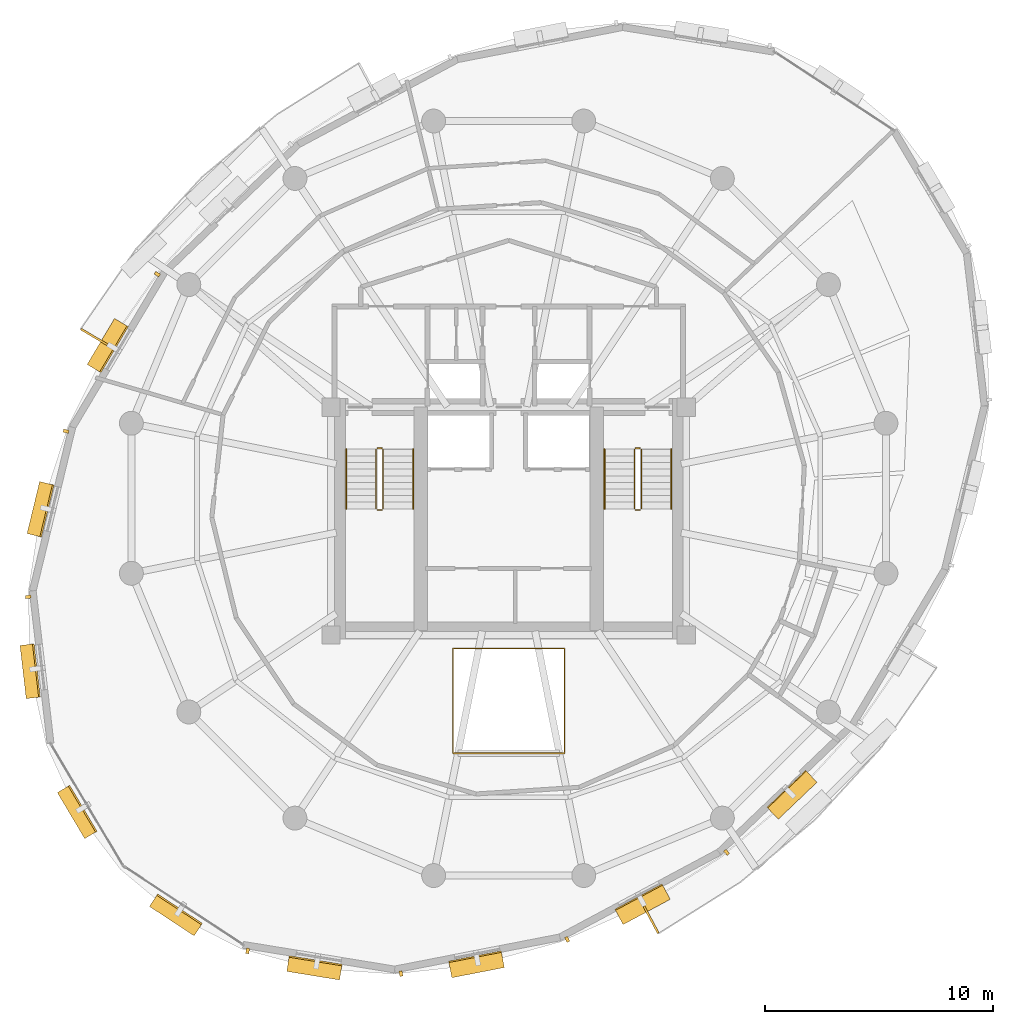
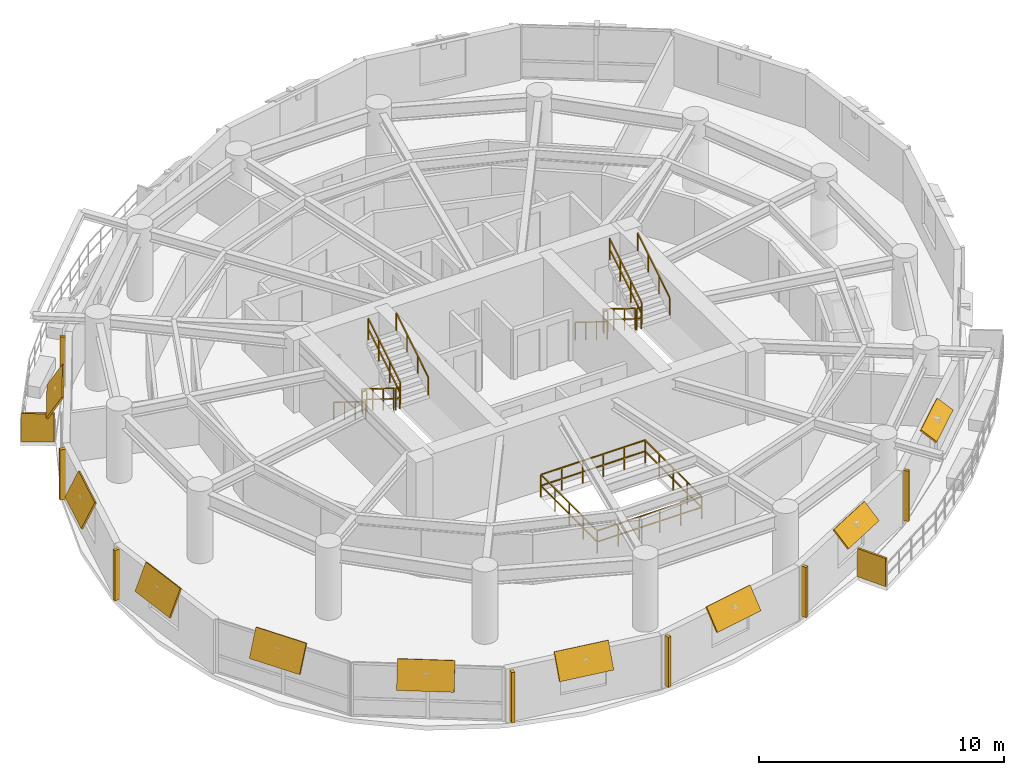
# One storey, part 11 of 12: 18 shading devices, 13 railings.
"""IFC4 building model written with IfcOpenShell, lengths in metres."""

from ifc_helpers import new_model, si_unit, direction, frame, origin, origin_2d, place, context, subcontext, project, spatial, rectangle, extrude, material, layer, layer_set, type_object, element, save


model = new_model("IFC4")

# Units and contexts
model_context = context("Model", 3, precision=1e-05, world=origin(), true_north=direction((0.0, 1.0)))
body_context = subcontext(model_context, "Body", "Model", "MODEL_VIEW")
ifc_project = project(units=[si_unit("LENGTHUNIT", "METRE"), si_unit("AREAUNIT", "SQUARE_METRE"), si_unit("VOLUMEUNIT", "CUBIC_METRE"), si_unit("PLANEANGLEUNIT", "RADIAN"), si_unit("MASSUNIT", "GRAM", prefix="KILO"), si_unit("THERMODYNAMICTEMPERATUREUNIT", "KELVIN"), si_unit("POWERUNIT", "WATT")], contexts=[model_context])

# Site, building, storey
site_placement = place(None, origin())
site = spatial("IfcSite", under=ifc_project, at=site_placement, CompositionType="ELEMENT")
building_placement = place(site_placement, origin())
building = spatial("IfcBuilding", under=site, at=building_placement, Name="Ocrelia Relay Tower", CompositionType="ELEMENT")
storey_placement = place(building_placement, frame((0.0, 0.0, 213.199951171875)))
storey = spatial("IfcBuildingStorey", under=building, at=storey_placement, Name="L52", CompositionType="ELEMENT", Elevation=213.199951171875)

# Railings
ifc_material_1 = material(Name="Steel S355 atrium balustrade", Category="steel")
railing_type_1 = type_object("IfcRailingType", Name="RL-INT-GUARD-115", PredefinedType="GUARDRAIL", material=ifc_material_1)
railing_1_placement = place(storey_placement, frame((31.550048828125, 14.800048828125, 0.0)))
element("IfcRailing", 1, at=railing_1_placement, inside=storey, type_object=railing_type_1, Name="L52 Multi-Zone Interior Atrium Guard", PredefinedType="GUARDRAIL", context=body_context, shape_type="SweptSolid", body=[
    extrude(rectangle(XDim=0.048095703125, YDim=0.048095703125, at=origin_2d()), frame((0.0, 0.0, 1.1259765625), z_axis=(1.0, 0.0, 0.0), x_axis=(0.0, 1.0, 0.0)), (0.0, 0.0, 1.0), 4.89990234375),
    extrude(rectangle(XDim=0.048095703125, YDim=0.048095703125, at=origin_2d()), frame((0.0, 0.0, 0.574951171875), z_axis=(1.0, 0.0, 0.0), x_axis=(0.0, 1.0, 0.0)), (0.0, 0.0, 1.0), 4.89990234375),
    extrude(rectangle(XDim=0.048095703125, YDim=0.048095703125, at=origin_2d()), frame((4.89990234375, 0.0, 1.1259765625), z_axis=(0.0, 1.0, 0.0), x_axis=(-1.0, 0.0, 0.0)), (0.0, 0.0, 1.0), 4.599853515625),
    extrude(rectangle(XDim=0.048095703125, YDim=0.048095703125, at=origin_2d()), frame((4.89990234375, 0.0, 0.574951171875), z_axis=(0.0, 1.0, 0.0), x_axis=(-1.0, 0.0, 0.0)), (0.0, 0.0, 1.0), 4.599853515625),
    extrude(rectangle(XDim=0.048095703125, YDim=0.048095703125, at=origin_2d()), frame((4.89990234375, 4.599853515625, 1.1259765625), z_axis=(-1.0, 0.0, 0.0), x_axis=(0.0, -1.0, 0.0)), (0.0, 0.0, 1.0), 4.89990234375),
    extrude(rectangle(XDim=0.048095703125, YDim=0.048095703125, at=origin_2d()), frame((4.89990234375, 4.599853515625, 0.574951171875), z_axis=(-1.0, 0.0, 0.0), x_axis=(0.0, -1.0, 0.0)), (0.0, 0.0, 1.0), 4.89990234375),
    extrude(rectangle(XDim=0.048095703125, YDim=0.048095703125, at=origin_2d()), frame((0.0, 4.599853515625, 1.1259765625), z_axis=(0.0, -1.0, 0.0), x_axis=(1.0, 0.0, 0.0)), (0.0, 0.0, 1.0), 4.599853515625),
    extrude(rectangle(XDim=0.048095703125, YDim=0.048095703125, at=origin_2d()), frame((0.0, 4.599853515625, 0.574951171875), z_axis=(0.0, -1.0, 0.0), x_axis=(1.0, 0.0, 0.0)), (0.0, 0.0, 1.0), 4.599853515625),
    extrude(rectangle(XDim=0.0419921875, YDim=0.0419921875, at=origin_2d()), origin(), (0.0, 0.0, 1.0), 1.101806640625),
    extrude(rectangle(XDim=0.0419921875, YDim=0.0419921875, at=origin_2d()), frame((0.97998046875, 0.0, 0.0)), (0.0, 0.0, 1.0), 1.101806640625),
    extrude(rectangle(XDim=0.0419921875, YDim=0.0419921875, at=origin_2d()), frame((1.9599609375, 0.0, 0.0)), (0.0, 0.0, 1.0), 1.101806640625),
    extrude(rectangle(XDim=0.0419921875, YDim=0.0419921875, at=origin_2d()), frame((2.93994140625, 0.0, 0.0)), (0.0, 0.0, 1.0), 1.101806640625),
    extrude(rectangle(XDim=0.0419921875, YDim=0.0419921875, at=origin_2d()), frame((3.919921875, 0.0, 0.0)), (0.0, 0.0, 1.0), 1.101806640625),
    extrude(rectangle(XDim=0.0419921875, YDim=0.0419921875, at=origin_2d()), frame((4.89990234375, 0.0, 0.0)), (0.0, 0.0, 1.0), 1.101806640625),
    extrude(rectangle(XDim=0.0419921875, YDim=0.0419921875, at=origin_2d()), frame((4.89990234375, 1.14990234375, 0.0)), (0.0, 0.0, 1.0), 1.101806640625),
    extrude(rectangle(XDim=0.0419921875, YDim=0.0419921875, at=origin_2d()), frame((4.89990234375, 2.2998046875, 0.0)), (0.0, 0.0, 1.0), 1.101806640625),
    extrude(rectangle(XDim=0.0419921875, YDim=0.0419921875, at=origin_2d()), frame((4.89990234375, 3.449951171875, 0.0)), (0.0, 0.0, 1.0), 1.101806640625),
    extrude(rectangle(XDim=0.0419921875, YDim=0.0419921875, at=origin_2d()), frame((4.89990234375, 4.599853515625, 0.0)), (0.0, 0.0, 1.0), 1.101806640625),
    extrude(rectangle(XDim=0.0419921875, YDim=0.0419921875, at=origin_2d()), frame((3.919921875, 4.599853515625, 0.0)), (0.0, 0.0, 1.0), 1.101806640625),
    extrude(rectangle(XDim=0.0419921875, YDim=0.0419921875, at=origin_2d()), frame((2.93994140625, 4.599853515625, 0.0)), (0.0, 0.0, 1.0), 1.101806640625),
    extrude(rectangle(XDim=0.0419921875, YDim=0.0419921875, at=origin_2d()), frame((1.9599609375, 4.599853515625, 0.0)), (0.0, 0.0, 1.0), 1.101806640625),
    extrude(rectangle(XDim=0.0419921875, YDim=0.0419921875, at=origin_2d()), frame((0.97998046875, 4.599853515625, 0.0)), (0.0, 0.0, 1.0), 1.101806640625),
    extrude(rectangle(XDim=0.0419921875, YDim=0.0419921875, at=origin_2d()), frame((0.0, 4.599853515625, 0.0)), (0.0, 0.0, 1.0), 1.101806640625),
    extrude(rectangle(XDim=0.0419921875, YDim=0.0419921875, at=origin_2d()), frame((0.0, 3.449951171875, 0.0)), (0.0, 0.0, 1.0), 1.101806640625),
    extrude(rectangle(XDim=0.0419921875, YDim=0.0419921875, at=origin_2d()), frame((0.0, 2.2998046875, 0.0)), (0.0, 0.0, 1.0), 1.101806640625),
    extrude(rectangle(XDim=0.0419921875, YDim=0.0419921875, at=origin_2d()), frame((0.0, 1.14990234375, 0.0)), (0.0, 0.0, 1.0), 1.101806640625),
])
ifc_material_2 = material(Name="Steel S355 balustrade", Category="steel")
railing_type_2 = type_object("IfcRailingType", Name="RL-STAIR-GUARD", PredefinedType="GUARDRAIL", material=ifc_material_2)
railing_2_placement = place(storey_placement, frame((28.179931640625, 28.14990234375, 0.179931640625)))
element("IfcRailing", 2, at=railing_2_placement, inside=storey, type_object=railing_type_2, Name="L52 ST1 stair guard 1", PredefinedType="GUARDRAIL", context=body_context, shape_type="SweptSolid", body=[
    extrude(rectangle(XDim=0.048095703125, YDim=0.048095703125, at=origin_2d()), frame((0.0, 0.0, 1.076171875), z_axis=(0.0, -0.849610693518, 0.52741034258), x_axis=(1.0, 0.0, 0.0)), (0.0, 0.0, 1.0), 3.07177734375),
    extrude(rectangle(XDim=0.048095703125, YDim=0.048095703125, at=origin_2d()), frame((0.0, 0.0, 0.550048828125), z_axis=(0.0, -0.849610693518, 0.52741034258), x_axis=(1.0, 0.0, 0.0)), (0.0, 0.0, 1.0), 3.07177734375),
    extrude(rectangle(XDim=0.0419921875, YDim=0.0419921875, at=origin_2d()), origin(), (0.0, 0.0, 1.0), 1.052001953125),
    extrude(rectangle(XDim=0.0419921875, YDim=0.0419921875, at=origin_2d()), frame((0.0, -0.869873046875, 0.5400390625)), (0.0, 0.0, 1.0), 1.052001953125),
    extrude(rectangle(XDim=0.0419921875, YDim=0.0419921875, at=origin_2d()), frame((0.0, -1.739990234375, 1.080078125)), (0.0, 0.0, 1.0), 1.052001953125),
    extrude(rectangle(XDim=0.0419921875, YDim=0.0419921875, at=origin_2d()), frame((0.0, -2.60986328125, 1.6201171875)), (0.0, 0.0, 1.0), 1.052001953125),
])
railing_3_placement = place(storey_placement, frame((28.22998046875, 25.489990234375, 1.800048828125)))
element("IfcRailing", 3, at=railing_3_placement, inside=storey, type_object=railing_type_2, Name="L52 ST1 stair guard 2", PredefinedType="GUARDRAIL", context=body_context, shape_type="SweptSolid", body=[
    extrude(rectangle(XDim=0.048095703125, YDim=0.048095703125, at=origin_2d()), frame((0.0, 0.0, 1.076171875), z_axis=(1.0, 0.0, 0.0), x_axis=(0.0, 1.0, 0.0)), (0.0, 0.0, 1.0), 0.199951171875),
    extrude(rectangle(XDim=0.048095703125, YDim=0.048095703125, at=origin_2d()), frame((0.0, 0.0, 0.550048828125), z_axis=(1.0, 0.0, 0.0), x_axis=(0.0, 1.0, 0.0)), (0.0, 0.0, 1.0), 0.199951171875),
    extrude(rectangle(XDim=0.0419921875, YDim=0.0419921875, at=origin_2d()), origin(), (0.0, 0.0, 1.0), 1.052001953125),
    extrude(rectangle(XDim=0.0419921875, YDim=0.0419921875, at=origin_2d()), frame((0.199951171875, 0.0, 0.0)), (0.0, 0.0, 1.0), 1.052001953125),
])
railing_4_placement = place(storey_placement, frame((28.47998046875, 25.5400390625, 1.97998046875)))
element("IfcRailing", 4, at=railing_4_placement, inside=storey, type_object=railing_type_2, Name="L52 ST1 stair guard 3", PredefinedType="GUARDRAIL", context=body_context, shape_type="SweptSolid", body=[
    extrude(rectangle(XDim=0.048095703125, YDim=0.048095703125, at=origin_2d()), frame((0.0, 0.0, 1.076171875), z_axis=(0.0, 0.849610693518, 0.52741034258), x_axis=(-1.0, 0.0, 0.0)), (0.0, 0.0, 1.0), 3.07177734375),
    extrude(rectangle(XDim=0.048095703125, YDim=0.048095703125, at=origin_2d()), frame((0.0, 0.0, 0.550048828125), z_axis=(0.0, 0.849610693518, 0.52741034258), x_axis=(-1.0, 0.0, 0.0)), (0.0, 0.0, 1.0), 3.07177734375),
    extrude(rectangle(XDim=0.0419921875, YDim=0.0419921875, at=origin_2d()), origin(), (0.0, 0.0, 1.0), 1.052001953125),
    extrude(rectangle(XDim=0.0419921875, YDim=0.0419921875, at=origin_2d()), frame((0.0, 0.869873046875, 0.5400390625)), (0.0, 0.0, 1.0), 1.052001953125),
    extrude(rectangle(XDim=0.0419921875, YDim=0.0419921875, at=origin_2d()), frame((0.0, 1.739990234375, 1.080078125)), (0.0, 0.0, 1.0), 1.052001953125),
    extrude(rectangle(XDim=0.0419921875, YDim=0.0419921875, at=origin_2d()), frame((0.0, 2.60986328125, 1.6201171875)), (0.0, 0.0, 1.0), 1.052001953125),
])
railing_5_placement = place(storey_placement, frame((28.22998046875, 28.199951171875, 0.0)))
element("IfcRailing", 5, at=railing_5_placement, inside=storey, type_object=railing_type_2, Name="L52 ST1 stair guard 4", PredefinedType="GUARDRAIL", context=body_context, shape_type="SweptSolid", body=[
    extrude(rectangle(XDim=0.048095703125, YDim=0.048095703125, at=origin_2d()), frame((0.0, 0.0, 1.076171875), z_axis=(1.0, 0.0, 0.0), x_axis=(0.0, 1.0, 0.0)), (0.0, 0.0, 1.0), 0.199951171875),
    extrude(rectangle(XDim=0.048095703125, YDim=0.048095703125, at=origin_2d()), frame((0.0, 0.0, 0.550048828125), z_axis=(1.0, 0.0, 0.0), x_axis=(0.0, 1.0, 0.0)), (0.0, 0.0, 1.0), 0.199951171875),
    extrude(rectangle(XDim=0.0419921875, YDim=0.0419921875, at=origin_2d()), origin(), (0.0, 0.0, 1.0), 1.052001953125),
    extrude(rectangle(XDim=0.0419921875, YDim=0.0419921875, at=origin_2d()), frame((0.199951171875, 0.0, 0.0)), (0.0, 0.0, 1.0), 1.052001953125),
])
railing_6_placement = place(storey_placement, frame((39.530029296875, 28.14990234375, 0.179931640625)))
element("IfcRailing", 6, at=railing_6_placement, inside=storey, type_object=railing_type_2, Name="L52 ST2 stair guard 1", PredefinedType="GUARDRAIL", context=body_context, shape_type="SweptSolid", body=[
    extrude(rectangle(XDim=0.048095703125, YDim=0.048095703125, at=origin_2d()), frame((0.0, 0.0, 1.076171875), z_axis=(0.0, -0.849610693518, 0.52741034258), x_axis=(1.0, 0.0, 0.0)), (0.0, 0.0, 1.0), 3.07177734375),
    extrude(rectangle(XDim=0.048095703125, YDim=0.048095703125, at=origin_2d()), frame((0.0, 0.0, 0.550048828125), z_axis=(0.0, -0.849610693518, 0.52741034258), x_axis=(1.0, 0.0, 0.0)), (0.0, 0.0, 1.0), 3.07177734375),
    extrude(rectangle(XDim=0.0419921875, YDim=0.0419921875, at=origin_2d()), origin(), (0.0, 0.0, 1.0), 1.052001953125),
    extrude(rectangle(XDim=0.0419921875, YDim=0.0419921875, at=origin_2d()), frame((0.0, -0.869873046875, 0.5400390625)), (0.0, 0.0, 1.0), 1.052001953125),
    extrude(rectangle(XDim=0.0419921875, YDim=0.0419921875, at=origin_2d()), frame((0.0, -1.739990234375, 1.080078125)), (0.0, 0.0, 1.0), 1.052001953125),
    extrude(rectangle(XDim=0.0419921875, YDim=0.0419921875, at=origin_2d()), frame((0.0, -2.60986328125, 1.6201171875)), (0.0, 0.0, 1.0), 1.052001953125),
])
railing_7_placement = place(storey_placement, frame((39.580078125, 25.489990234375, 1.800048828125)))
element("IfcRailing", 7, at=railing_7_placement, inside=storey, type_object=railing_type_2, Name="L52 ST2 stair guard 2", PredefinedType="GUARDRAIL", context=body_context, shape_type="SweptSolid", body=[
    extrude(rectangle(XDim=0.048095703125, YDim=0.048095703125, at=origin_2d()), frame((0.0, 0.0, 1.076171875), z_axis=(1.0, 0.0, 0.0), x_axis=(0.0, 1.0, 0.0)), (0.0, 0.0, 1.0), 0.199951171875),
    extrude(rectangle(XDim=0.048095703125, YDim=0.048095703125, at=origin_2d()), frame((0.0, 0.0, 0.550048828125), z_axis=(1.0, 0.0, 0.0), x_axis=(0.0, 1.0, 0.0)), (0.0, 0.0, 1.0), 0.199951171875),
    extrude(rectangle(XDim=0.0419921875, YDim=0.0419921875, at=origin_2d()), origin(), (0.0, 0.0, 1.0), 1.052001953125),
    extrude(rectangle(XDim=0.0419921875, YDim=0.0419921875, at=origin_2d()), frame((0.199951171875, 0.0, 0.0)), (0.0, 0.0, 1.0), 1.052001953125),
])
railing_8_placement = place(storey_placement, frame((39.830078125, 25.5400390625, 1.97998046875)))
element("IfcRailing", 8, at=railing_8_placement, inside=storey, type_object=railing_type_2, Name="L52 ST2 stair guard 3", PredefinedType="GUARDRAIL", context=body_context, shape_type="SweptSolid", body=[
    extrude(rectangle(XDim=0.048095703125, YDim=0.048095703125, at=origin_2d()), frame((0.0, 0.0, 1.076171875), z_axis=(0.0, 0.849610693518, 0.52741034258), x_axis=(-1.0, 0.0, 0.0)), (0.0, 0.0, 1.0), 3.07177734375),
    extrude(rectangle(XDim=0.048095703125, YDim=0.048095703125, at=origin_2d()), frame((0.0, 0.0, 0.550048828125), z_axis=(0.0, 0.849610693518, 0.52741034258), x_axis=(-1.0, 0.0, 0.0)), (0.0, 0.0, 1.0), 3.07177734375),
    extrude(rectangle(XDim=0.0419921875, YDim=0.0419921875, at=origin_2d()), origin(), (0.0, 0.0, 1.0), 1.052001953125),
    extrude(rectangle(XDim=0.0419921875, YDim=0.0419921875, at=origin_2d()), frame((0.0, 0.869873046875, 0.5400390625)), (0.0, 0.0, 1.0), 1.052001953125),
    extrude(rectangle(XDim=0.0419921875, YDim=0.0419921875, at=origin_2d()), frame((0.0, 1.739990234375, 1.080078125)), (0.0, 0.0, 1.0), 1.052001953125),
    extrude(rectangle(XDim=0.0419921875, YDim=0.0419921875, at=origin_2d()), frame((0.0, 2.60986328125, 1.6201171875)), (0.0, 0.0, 1.0), 1.052001953125),
])
railing_9_placement = place(storey_placement, frame((39.580078125, 28.199951171875, 0.0)))
element("IfcRailing", 9, at=railing_9_placement, inside=storey, type_object=railing_type_2, Name="L52 ST2 stair guard 4", PredefinedType="GUARDRAIL", context=body_context, shape_type="SweptSolid", body=[
    extrude(rectangle(XDim=0.048095703125, YDim=0.048095703125, at=origin_2d()), frame((0.0, 0.0, 1.076171875), z_axis=(1.0, 0.0, 0.0), x_axis=(0.0, 1.0, 0.0)), (0.0, 0.0, 1.0), 0.199951171875),
    extrude(rectangle(XDim=0.048095703125, YDim=0.048095703125, at=origin_2d()), frame((0.0, 0.0, 0.550048828125), z_axis=(1.0, 0.0, 0.0), x_axis=(0.0, 1.0, 0.0)), (0.0, 0.0, 1.0), 0.199951171875),
    extrude(rectangle(XDim=0.0419921875, YDim=0.0419921875, at=origin_2d()), origin(), (0.0, 0.0, 1.0), 1.052001953125),
    extrude(rectangle(XDim=0.0419921875, YDim=0.0419921875, at=origin_2d()), frame((0.199951171875, 0.0, 0.0)), (0.0, 0.0, 1.0), 1.052001953125),
])
ifc_material_3 = material(Name="Steel S355 tubular handrail", Category="steel")
railing_type_3 = type_object("IfcRailingType", Name="RL-STAIR-HAND", PredefinedType="HANDRAIL", material=ifc_material_3)
railing_10_placement = place(storey_placement, frame((26.860107421875, 28.14990234375, 0.179931640625)))
element("IfcRailing", 10, at=railing_10_placement, inside=storey, type_object=railing_type_3, Name="L52 ST1 stair handrail 1", PredefinedType="HANDRAIL", context=body_context, shape_type="SweptSolid", body=[
    extrude(rectangle(XDim=0.048095703125, YDim=0.048095703125, at=origin_2d()), frame((0.0, 0.0, 0.8759765625), z_axis=(0.0, -0.849610693518, 0.52741034258), x_axis=(1.0, 0.0, 0.0)), (0.0, 0.0, 1.0), 3.07177734375),
    extrude(rectangle(XDim=0.0419921875, YDim=0.0419921875, at=origin_2d()), origin(), (0.0, 0.0, 1.0), 0.851806640625),
    extrude(rectangle(XDim=0.0419921875, YDim=0.0419921875, at=origin_2d()), frame((0.0, -0.869873046875, 0.5400390625)), (0.0, 0.0, 1.0), 0.851806640625),
    extrude(rectangle(XDim=0.0419921875, YDim=0.0419921875, at=origin_2d()), frame((0.0, -1.739990234375, 1.080078125)), (0.0, 0.0, 1.0), 0.851806640625),
    extrude(rectangle(XDim=0.0419921875, YDim=0.0419921875, at=origin_2d()), frame((0.0, -2.60986328125, 1.6201171875)), (0.0, 0.0, 1.0), 0.851806640625),
])
railing_11_placement = place(storey_placement, frame((29.800048828125, 25.5400390625, 1.97998046875)))
element("IfcRailing", 11, at=railing_11_placement, inside=storey, type_object=railing_type_3, Name="L52 ST1 stair handrail 2", PredefinedType="HANDRAIL", context=body_context, shape_type="SweptSolid", body=[
    extrude(rectangle(XDim=0.048095703125, YDim=0.048095703125, at=origin_2d()), frame((0.0, 0.0, 0.8759765625), z_axis=(0.0, 0.849610693518, 0.52741034258), x_axis=(-1.0, 0.0, 0.0)), (0.0, 0.0, 1.0), 3.07177734375),
    extrude(rectangle(XDim=0.0419921875, YDim=0.0419921875, at=origin_2d()), origin(), (0.0, 0.0, 1.0), 0.851806640625),
    extrude(rectangle(XDim=0.0419921875, YDim=0.0419921875, at=origin_2d()), frame((0.0, 0.869873046875, 0.5400390625)), (0.0, 0.0, 1.0), 0.851806640625),
    extrude(rectangle(XDim=0.0419921875, YDim=0.0419921875, at=origin_2d()), frame((0.0, 1.739990234375, 1.080078125)), (0.0, 0.0, 1.0), 0.851806640625),
    extrude(rectangle(XDim=0.0419921875, YDim=0.0419921875, at=origin_2d()), frame((0.0, 2.60986328125, 1.6201171875)), (0.0, 0.0, 1.0), 0.851806640625),
])
railing_12_placement = place(storey_placement, frame((38.2099609375, 28.14990234375, 0.179931640625)))
element("IfcRailing", 12, at=railing_12_placement, inside=storey, type_object=railing_type_3, Name="L52 ST2 stair handrail 1", PredefinedType="HANDRAIL", context=body_context, shape_type="SweptSolid", body=[
    extrude(rectangle(XDim=0.048095703125, YDim=0.048095703125, at=origin_2d()), frame((0.0, 0.0, 0.8759765625), z_axis=(0.0, -0.849610693518, 0.52741034258), x_axis=(1.0, 0.0, 0.0)), (0.0, 0.0, 1.0), 3.07177734375),
    extrude(rectangle(XDim=0.0419921875, YDim=0.0419921875, at=origin_2d()), origin(), (0.0, 0.0, 1.0), 0.851806640625),
    extrude(rectangle(XDim=0.0419921875, YDim=0.0419921875, at=origin_2d()), frame((0.0, -0.869873046875, 0.5400390625)), (0.0, 0.0, 1.0), 0.851806640625),
    extrude(rectangle(XDim=0.0419921875, YDim=0.0419921875, at=origin_2d()), frame((0.0, -1.739990234375, 1.080078125)), (0.0, 0.0, 1.0), 0.851806640625),
    extrude(rectangle(XDim=0.0419921875, YDim=0.0419921875, at=origin_2d()), frame((0.0, -2.60986328125, 1.6201171875)), (0.0, 0.0, 1.0), 0.851806640625),
])
railing_13_placement = place(storey_placement, frame((41.14990234375, 25.5400390625, 1.97998046875)))
element("IfcRailing", 13, at=railing_13_placement, inside=storey, type_object=railing_type_3, Name="L52 ST2 stair handrail 2", PredefinedType="HANDRAIL", context=body_context, shape_type="SweptSolid", body=[
    extrude(rectangle(XDim=0.048095703125, YDim=0.048095703125, at=origin_2d()), frame((0.0, 0.0, 0.8759765625), z_axis=(0.0, 0.849610693518, 0.52741034258), x_axis=(-1.0, 0.0, 0.0)), (0.0, 0.0, 1.0), 3.07177734375),
    extrude(rectangle(XDim=0.0419921875, YDim=0.0419921875, at=origin_2d()), origin(), (0.0, 0.0, 1.0), 0.851806640625),
    extrude(rectangle(XDim=0.0419921875, YDim=0.0419921875, at=origin_2d()), frame((0.0, 0.869873046875, 0.5400390625)), (0.0, 0.0, 1.0), 0.851806640625),
    extrude(rectangle(XDim=0.0419921875, YDim=0.0419921875, at=origin_2d()), frame((0.0, 1.739990234375, 1.080078125)), (0.0, 0.0, 1.0), 0.851806640625),
    extrude(rectangle(XDim=0.0419921875, YDim=0.0419921875, at=origin_2d()), frame((0.0, 2.60986328125, 1.6201171875)), (0.0, 0.0, 1.0), 0.851806640625),
])

# Shading devices
ifc_material_4 = material(Name="Perforated oxide terracotta solar screen", Category="masonry")
ifc_layer_1 = layer(ifc_material_4, 0.090087890625, Name="Perforated oxide terracotta solar screen")
ifc_layer_set_1 = layer_set([ifc_layer_1], Name="Perforated oxide terracotta solar screen")
shading_device_type_1 = type_object("IfcShadingDeviceType", Name="SH-BALC-SCREEN", PredefinedType="USERDEFINED", material=ifc_layer_set_1)
for number, where, z_axis, x_axis, name in (
    (14, (15.788330078125, 33.090576171875, 0.0), (0.0, 0.0, 1.0), (-0.860241403588, 0.509886975273, 0.0), "L52 Balcony Perforated Terracotta Screen B1-2"),
    (15, (40.257080078125, 7.485595703125, 0.0), (0.0, 0.0, 1.0), (0.470312595768, -0.882499893633, 0.0), "L52 Balcony Perforated Terracotta Screen B2-1"),
):
    element("IfcShadingDevice", number, at=place(storey_placement, frame(where, z_axis=z_axis, x_axis=x_axis)), inside=storey, type_object=shading_device_type_1, Name=name, ObjectType="SCREEN", PredefinedType="USERDEFINED", context=body_context, shape_type="SweptSolid", body=[
        extrude(rectangle(XDim=1.340087890625, YDim=0.090087890625, at=origin_2d()), origin(), (0.0, 0.0, 1.0), 1.39990234375),
    ])
ifc_material_5 = material(Name="Extruded oxide terracotta vertical baguette", Category="masonry")
shading_device_type_2 = type_object("IfcShadingDeviceType", Name="SH-TERR-BAGUETTE", PredefinedType="USERDEFINED", material=ifc_material_5)
for number, where, z_axis, x_axis, name in (
    (16, (18.56298828125, 35.848388671875, 0.080078125), (0.0, 0.0, 1.0), (-0.511169344798, -0.859480017766, 0.0), "L52 Oxide Terracotta Vertical Baguette 06"),
    (17, (14.55126953125, 28.94482421875, 0.080078125), (0.0, 0.0, 1.0), (-0.235213108583, -0.97194382222, 0.0), "L52 Oxide Terracotta Vertical Baguette 07"),
    (18, (12.890625, 21.6689453125, 0.080078125), (0.0, 0.0, 1.0), (0.115907027352, -0.993260067158, 0.0), "L52 Oxide Terracotta Vertical Baguette 08"),
    (19, (22.532470703125, 6.11669921875, 0.080078125), (0.0, 0.0, 1.0), (0.986977398375, -0.160858991349, 0.0), "L52 Oxide Terracotta Vertical Baguette 11"),
    (20, (29.269287109375, 5.1171875, 0.080078125), (0.0, 0.0, 1.0), (0.981611801437, 0.19088811194, 0.0), "L52 Oxide Terracotta Vertical Baguette 12"),
    (21, (36.5712890625, 6.61962890625, 0.080078125), (0.0, 0.0, 1.0), (0.881781347614, 0.471658409233, 0.0), "L52 Oxide Terracotta Vertical Baguette 13"),
    (22, (43.573486328125, 10.44775390625, 0.080078125), (0.0, 0.0, 1.0), (0.722970476778, 0.690878925505, 0.0), "L52 Oxide Terracotta Vertical Baguette 14"),
):
    element("IfcShadingDevice", number, at=place(storey_placement, frame(where, z_axis=z_axis, x_axis=x_axis)), inside=storey, type_object=shading_device_type_2, Name=name, ObjectType="BAGUETTE", PredefinedType="USERDEFINED", context=body_context, shape_type="SweptSolid", body=[
        extrude(rectangle(XDim=0.139892578125, YDim=0.239990234375, at=origin_2d()), origin(), (0.0, 0.0, 1.0), 2.5),
    ])
ifc_material_6 = material(Name="Extruded oxide terracotta fin", Category="masonry")
ifc_layer_2 = layer(ifc_material_6, 0.080078125, Name="Extruded oxide terracotta fin")
ifc_layer_set_2 = layer_set([ifc_layer_2], Name="Extruded oxide terracotta fin")
shading_device_type_3 = type_object("IfcShadingDeviceType", Name="SH-VISOR-FIN-DEEP", PredefinedType="USERDEFINED", material=ifc_layer_set_2)
shading_device_1_placement = place(storey_placement, frame((16.41552734375, 32.692626953125, 2.479248046875), z_axis=(-0.734546109348, 0.436865832455, 0.519220817836), x_axis=(-0.511169344798, -0.859480017766, 0.0)))
element("IfcShadingDevice", 23, at=shading_device_1_placement, inside=storey, type_object=shading_device_type_3, Name="L52 Canted Terracotta Sun-Visor Fin 06", ObjectType="FIN", PredefinedType="USERDEFINED", context=body_context, shape_type="SweptSolid", body=[
    extrude(rectangle(XDim=2.35009765625, YDim=1.22900390625, at=origin_2d()), origin(), (0.0, 0.0, 1.0), 0.080078125),
])
shading_device_2_placement = place(storey_placement, frame((13.468017578125, 25.508056640625, 2.482421875), z_axis=(-0.8734285403, 0.211372136323, 0.438684858384), x_axis=(-0.235213108583, -0.97194382222, 0.0)))
element("IfcShadingDevice", 24, at=shading_device_2_placement, inside=storey, type_object=shading_device_type_3, Name="L52 Canted Terracotta Sun-Visor Fin 07", ObjectType="FIN", PredefinedType="USERDEFINED", context=body_context, shape_type="SweptSolid", body=[
    extrude(rectangle(XDim=2.35009765625, YDim=1.31591796875, at=origin_2d()), origin(), (0.0, 0.0, 1.0), 0.080078125),
])
shading_device_3_placement = place(storey_placement, frame((13.01318359375, 18.40576171875, 2.483642578125), z_axis=(-0.906681736182, -0.105803895948, 0.408330460381), x_axis=(0.115907027352, -0.993260067158, 0.0)))
element("IfcShadingDevice", 25, at=shading_device_3_placement, inside=storey, type_object=shading_device_type_3, Name="L52 Canted Terracotta Sun-Visor Fin 08", ObjectType="FIN", PredefinedType="USERDEFINED", context=body_context, shape_type="SweptSolid", body=[
    extrude(rectangle(XDim=2.35009765625, YDim=1.347900390625, at=origin_2d()), origin(), (0.0, 0.0, 1.0), 0.080078125),
])
shading_device_4_placement = place(storey_placement, frame((15.075439453125, 12.2373046875, 2.4833984375), z_axis=(-0.782638470064, -0.465076498727, 0.413740106235), x_axis=(0.510851311263, -0.859669086208, 0.0)))
element("IfcShadingDevice", 26, at=shading_device_4_placement, inside=storey, type_object=shading_device_type_3, Name="L52 Canted Terracotta Sun-Visor Fin 09", ObjectType="FIN", PredefinedType="USERDEFINED", context=body_context, shape_type="SweptSolid", body=[
    extrude(rectangle(XDim=2.35009765625, YDim=1.343017578125, at=origin_2d()), origin(), (0.0, 0.0, 1.0), 0.080078125),
])
shading_device_5_placement = place(storey_placement, frame((19.39892578125, 7.7265625, 2.482177734375), z_axis=(-0.491604072357, -0.747818793303, 0.44619781311), x_axis=(0.835613007377, -0.549318579608, 0.0)))
element("IfcShadingDevice", 27, at=shading_device_5_placement, inside=storey, type_object=shading_device_type_3, Name="L52 Canted Terracotta Sun-Visor Fin 10", ObjectType="FIN", PredefinedType="USERDEFINED", context=body_context, shape_type="SweptSolid", body=[
    extrude(rectangle(XDim=2.35009765625, YDim=1.30810546875, at=origin_2d()), origin(), (0.0, 0.0, 1.0), 0.080078125),
])
shading_device_6_placement = place(storey_placement, frame((25.472412109375, 5.40380859375, 2.479736328125), z_axis=(-0.138870770582, -0.852064971372, 0.504678307081), x_axis=(0.986977398375, -0.160858991349, 0.0)))
element("IfcShadingDevice", 28, at=shading_device_6_placement, inside=storey, type_object=shading_device_type_3, Name="L52 Canted Terracotta Sun-Visor Fin 11", ObjectType="FIN", PredefinedType="USERDEFINED", context=body_context, shape_type="SweptSolid", body=[
    extrude(rectangle(XDim=2.35009765625, YDim=1.2451171875, at=origin_2d()), origin(), (0.0, 0.0, 1.0), 0.080078125),
])
ifc_layer_3 = layer(ifc_material_6, 0.080078125, Name="Extruded oxide terracotta fin")
ifc_layer_set_3 = layer_set([ifc_layer_3], Name="Extruded oxide terracotta fin")
shading_device_type_4 = type_object("IfcShadingDeviceType", Name="SH-VISOR-FIN-MED", PredefinedType="USERDEFINED", material=ifc_layer_set_3)
shading_device_7_placement = place(storey_placement, frame((32.581298828125, 5.555908203125, 2.476318359375), z_axis=(0.153684188925, -0.790296535544, 0.593137889518), x_axis=(0.981611801437, 0.19088811194, 0.0)))
element("IfcShadingDevice", 29, at=shading_device_7_placement, inside=storey, type_object=shading_device_type_4, Name="L52 Canted Terracotta Sun-Visor Fin 12", ObjectType="FIN", PredefinedType="USERDEFINED", context=body_context, shape_type="SweptSolid", body=[
    extrude(rectangle(XDim=2.35009765625, YDim=1.14404296875, at=origin_2d()), origin(), (0.0, 0.0, 1.0), 0.080078125),
])
shading_device_8_placement = place(storey_placement, frame((39.870361328125, 8.1865234375, 2.4716796875), z_axis=(0.332463453928, -0.621551671078, 0.709324729572), x_axis=(0.881781347614, 0.471658409233, 0.0)))
element("IfcShadingDevice", 30, at=shading_device_8_placement, inside=storey, type_object=shading_device_type_4, Name="L52 Canted Terracotta Sun-Visor Fin 13", ObjectType="FIN", PredefinedType="USERDEFINED", context=body_context, shape_type="SweptSolid", body=[
    extrude(rectangle(XDim=2.35009765625, YDim=0.9970703125, at=origin_2d()), origin(), (0.0, 0.0, 1.0), 0.080078125),
])
shading_device_9_placement = place(storey_placement, frame((46.432861328125, 12.98974609375, 2.467041015625), z_axis=(0.389427877111, -0.407516928932, 0.825999928064), x_axis=(0.722970476778, 0.690878925505, 0.0)))
element("IfcShadingDevice", 31, at=shading_device_9_placement, inside=storey, type_object=shading_device_type_4, Name="L52 Canted Terracotta Sun-Visor Fin 14", ObjectType="FIN", PredefinedType="USERDEFINED", context=body_context, shape_type="SweptSolid", body=[
    extrude(rectangle(XDim=2.35009765625, YDim=0.822021484375, at=origin_2d()), origin(), (0.0, 0.0, 1.0), 0.080078125),
])

save(model, "model.ifc")
